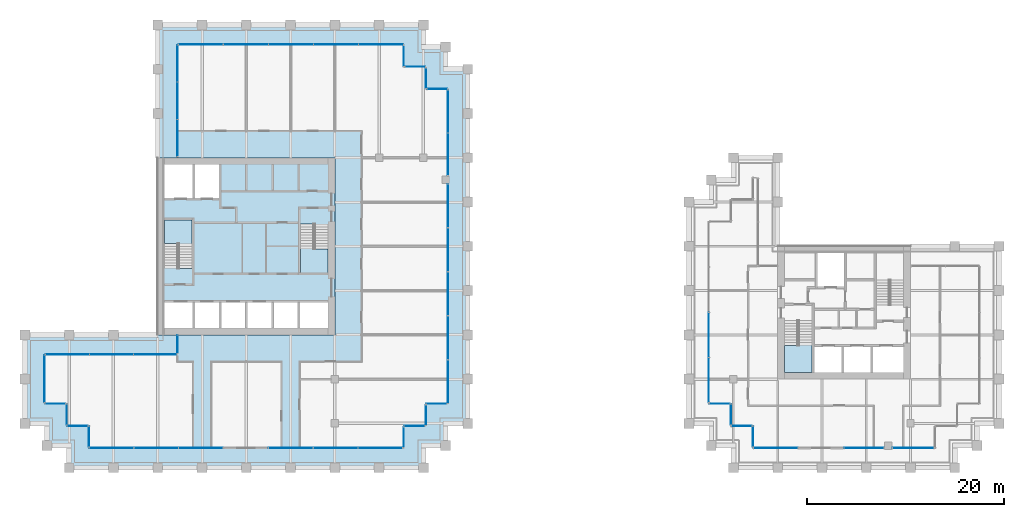
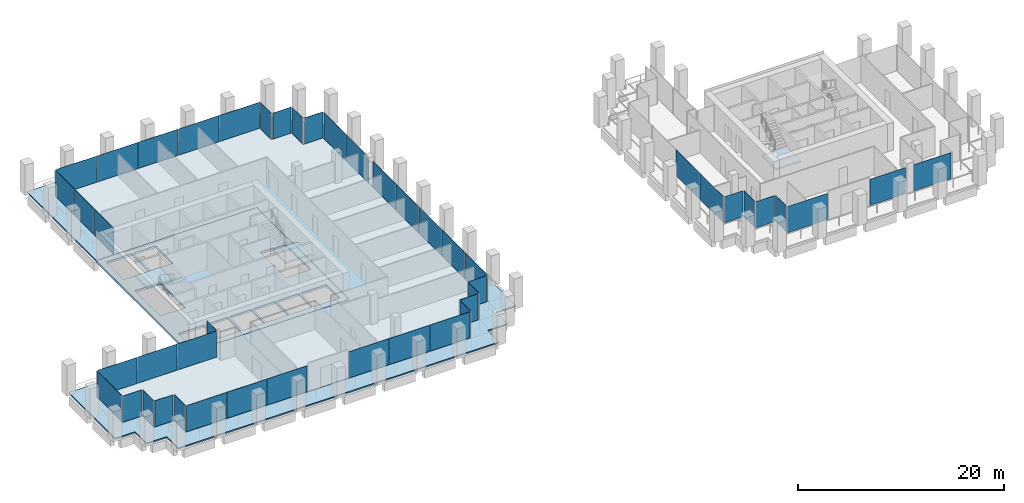
# One storey, part 39 of 46: 47 plates, 6 slabs, 32 elements without a shape of their own.
"""IFC4 building model written with IfcOpenShell, lengths in metres."""

import ifcopenshell
import ifcopenshell.guid

model = None  # the IFC model being written
_history = None  # IfcOwnerHistory: only IFC2X3 demands one
_inside = {}  # id of a spatial element -> (the spatial element, [elements in it])
_under = {}  # id of a project, library or spatial element -> (it, [spatial elements below it])
_declared = {}  # id of a project -> (the project, [libraries it declares])
_typed = {}  # id of a type object -> (the type object, [elements of that type])
_made_of = {}  # id of a material, layer set ... -> (it, [elements and type objects made of it])


def new_model(schema):
    """Start an empty IFC model of exactly this schema.

    Asked for "IFC4X3", IfcOpenShell would pick the latest addendum, in which some entities
    have other attributes; the version numbers below select the first issue.
    IFC2X3 requires an IfcOwnerHistory on every rooted entity: one is made here for all.
    """
    global model, _history
    if schema == "IFC4X3":
        model = ifcopenshell.file(schema_version=(4, 3, 0, 0))
    else:
        model = ifcopenshell.file(schema=schema)
    _inside.clear()
    _under.clear()
    _declared.clear()
    _typed.clear()
    _made_of.clear()
    _history = None
    if model.schema == "IFC2X3":
        org = make("IfcOrganization", Name="unknown")
        user = make(
            "IfcPersonAndOrganization",
            ThePerson=make("IfcPerson", FamilyName="unknown"),
            TheOrganization=org,
        )
        app = make(
            "IfcApplication",
            ApplicationDeveloper=org,
            Version="unknown",
            ApplicationFullName="unknown",
            ApplicationIdentifier="unknown",
        )
        _history = make(
            "IfcOwnerHistory",
            OwningUser=user,
            OwningApplication=app,
            ChangeAction="ADDED",
            CreationDate=0,
        )
    return model


def make(cls, **values):
    """One entity of the class cls with the attributes given. An attribute that is None is left unset."""
    return model.create_entity(
        cls, **{name: value for name, value in values.items() if value is not None}
    )


def rooted(cls, **values):
    """An entity with a GlobalId (a new one), such as an element, a storey or a relation."""
    return make(cls, GlobalId=ifcopenshell.guid.new(), OwnerHistory=_history, **values)


def si_unit(unit_type, name, prefix=None):
    """IfcSIUnit, for example si_unit("LENGTHUNIT", "METRE", prefix="MILLI")."""
    return make("IfcSIUnit", UnitType=unit_type, Prefix=prefix, Name=name)


def assignment(units):
    """IfcUnitAssignment: the units of a project."""
    return None if units is None else make("IfcUnitAssignment", Units=units)


def point(xyz):
    """IfcCartesianPoint."""
    return None if xyz is None else make("IfcCartesianPoint", Coordinates=xyz)


def direction(xyz):
    """IfcDirection."""
    return None if xyz is None else make("IfcDirection", DirectionRatios=xyz)


def frame(location, z_axis=None, x_axis=None):
    """IfcAxis2Placement3D, a coordinate frame: its origin and axes. An axis left out is left unset."""
    return make(
        "IfcAxis2Placement3D",
        Location=point(location),
        Axis=direction(z_axis),
        RefDirection=direction(x_axis),
    )


def frame_2d(location, x_axis=None):
    """IfcAxis2Placement2D, a coordinate frame in the plane: its origin and x axis."""
    return make(
        "IfcAxis2Placement2D", Location=point(location), RefDirection=direction(x_axis)
    )


def origin():
    """The frame at (0, 0, 0) with its axes left unset."""
    return frame((0.0, 0.0, 0.0))


def origin_2d():
    """The frame at (0, 0) in the plane with its x axis left unset."""
    return frame_2d((0.0, 0.0))


def place(relative_to, where):
    """IfcLocalPlacement: puts the frame where relative to a parent placement (None: the world)."""
    return make(
        "IfcLocalPlacement", PlacementRelTo=relative_to, RelativePlacement=where
    )


def context(
    kind, dimensions, precision=None, world=None, true_north=None, identifier=None
):
    """IfcGeometricRepresentationContext, for example the 3D "Model" context."""
    return make(
        "IfcGeometricRepresentationContext",
        ContextIdentifier=identifier,
        ContextType=kind,
        CoordinateSpaceDimension=dimensions,
        Precision=precision,
        WorldCoordinateSystem=world,
        TrueNorth=true_north,
    )


def subcontext(parent, identifier, kind, view, scale=None):
    """IfcGeometricRepresentationSubContext, for example "Body" below "Model"."""
    return make(
        "IfcGeometricRepresentationSubContext",
        ContextIdentifier=identifier,
        ContextType=kind,
        ParentContext=parent,
        TargetScale=scale,
        TargetView=view,
    )


def project(units=None, contexts=None):
    """IfcProject with its units and contexts."""
    return rooted(
        "IfcProject",
        Name="project",
        RepresentationContexts=contexts,
        UnitsInContext=assignment(units),
    )


def spatial(cls, under=None, at=None, **own):
    """A site, building, storey or space (cls), placed at a placement, below another one or the project."""
    s = rooted(cls, ObjectPlacement=at, **own)
    if under is not None:
        _under.setdefault(under.id(), (under, []))[1].append(s)
    return s


def polyline(points):
    """IfcPolyline through the points."""
    return make("IfcPolyline", Points=[point(p) for p in points])


def profile(cls, at=None, kind="AREA", **sizes):
    """A parametric profile (cls). Its sizes go by their IFC names, for example OverallWidth=200.0."""
    return make(cls, ProfileType=kind, Position=at, **sizes)


def rectangle(**sizes):
    """IfcRectangleProfileDef."""
    return profile("IfcRectangleProfileDef", **sizes)


def outline(outer, holes=None, kind="AREA"):
    """IfcArbitraryClosedProfileDef: a profile drawn as a closed curve; with holes, ...WithVoids."""
    if holes is None:
        return make("IfcArbitraryClosedProfileDef", ProfileType=kind, OuterCurve=outer)
    return make(
        "IfcArbitraryProfileDefWithVoids",
        ProfileType=kind,
        OuterCurve=outer,
        InnerCurves=holes,
    )


def extrude(swept, where, along, depth):
    """IfcExtrudedAreaSolid: the profile swept, set in the frame where, extruded along a direction by depth."""
    return make(
        "IfcExtrudedAreaSolid",
        SweptArea=swept,
        Position=where,
        ExtrudedDirection=direction(along),
        Depth=depth,
    )


def shape(context_of_items, identifier, shape_type, items):
    """IfcShapeRepresentation: the items that make up one representation, for example the "Body"."""
    return make(
        "IfcShapeRepresentation",
        ContextOfItems=context_of_items,
        RepresentationIdentifier=identifier,
        RepresentationType=shape_type,
        Items=items,
    )


def material(Name=None, Category=None):
    """IfcMaterial."""
    return make("IfcMaterial", Name=Name, Category=Category)


def layer(
    of_material, thickness, ventilated=None, Name=None, Category=None, Priority=None
):
    """IfcMaterialLayer: one layer of a wall or slab, of a material (None: an air gap)."""
    return make(
        "IfcMaterialLayer",
        Material=of_material,
        LayerThickness=thickness,
        IsVentilated=ventilated,
        Name=Name,
        Category=Category,
        Priority=Priority,
    )


def layer_set(layers, Name=None):
    """IfcMaterialLayerSet."""
    return make("IfcMaterialLayerSet", MaterialLayers=layers, LayerSetName=Name)


def made_of(thing, what):
    """Note that an element or type object is made of a material, layer set ...; save() writes the relation."""
    if what is not None:
        _made_of.setdefault(what.id(), (what, []))[1].append(thing)
    return thing


def type_object(cls, material=None, **own):
    """A type object (cls), such as IfcWallType, which elements share."""
    return made_of(rooted(cls, **own), material)


def element(
    cls,
    number,
    at=None,
    inside=None,
    cuts=None,
    type_object=None,
    material=None,
    context=None,
    identifier="Body",
    shape_type=None,
    held_by="IfcProductDefinitionShape",
    body=None,
    shapes=None,
    **own,
):
    """One element of the class cls, such as IfcWall. Its Tag is "e" and its number.

    at: its placement. inside: the storey or other place that contains it. cuts: it is an
    opening in that element (IfcRelVoidsElement). A single representation is given by context,
    identifier, shape_type and body (its items); several are given by shapes. held_by: the class
    of the entity that holds the representations. save() writes the other relations.
    """
    e = rooted(cls, Tag="e%d" % number, ObjectPlacement=at, **own)
    if body is not None:
        shapes = [shape(context, identifier, shape_type, body)]
    if shapes is not None:
        e.Representation = make(held_by, Representations=shapes)
    if inside is not None:
        _inside.setdefault(inside.id(), (inside, []))[1].append(e)
    if cuts is not None:
        rooted(
            "IfcRelVoidsElement", RelatingBuildingElement=cuts, RelatedOpeningElement=e
        )
    if type_object is not None:
        _typed.setdefault(type_object.id(), (type_object, []))[1].append(e)
    return made_of(e, material)


def aggregate(whole, parts):
    """IfcRelAggregates: a whole, such as a stair, and the parts it consists of."""
    return rooted("IfcRelAggregates", RelatingObject=whole, RelatedObjects=parts)


def save(model, path):
    """Write the relations noted so far, then the file.

    IfcRelAggregates (storeys below a building ...), IfcRelContainedInSpatialStructure (elements
    in a storey), IfcRelDefinesByType, IfcRelAssociatesMaterial and IfcRelDeclares: one each for
    every whole, place, type object, material and project.
    """
    for whole, parts in _under.values():
        aggregate(whole, parts)
    for where, things in _inside.values():
        rooted(
            "IfcRelContainedInSpatialStructure",
            RelatedElements=things,
            RelatingStructure=where,
        )
    for kind, things in _typed.values():
        rooted("IfcRelDefinesByType", RelatedObjects=things, RelatingType=kind)
    for what, things in _made_of.values():
        rooted("IfcRelAssociatesMaterial", RelatedObjects=things, RelatingMaterial=what)
    for by, libraries in _declared.values():
        rooted("IfcRelDeclares", RelatingContext=by, RelatedDefinitions=libraries)
    model.write(path)


model = new_model("IFC4")

# Units and contexts
model_context = context("Model", 3, precision=1e-05, world=origin(), true_north=direction((0.0, 1.0)))
body_context = subcontext(model_context, "Body", "Model", "MODEL_VIEW")
ifc_project = project(units=[si_unit("LENGTHUNIT", "METRE"), si_unit("AREAUNIT", "SQUARE_METRE"), si_unit("VOLUMEUNIT", "CUBIC_METRE"), si_unit("PLANEANGLEUNIT", "RADIAN"), si_unit("MASSUNIT", "GRAM", prefix="KILO")], contexts=[model_context])

# Site, building, storey
site_placement = place(None, origin())
site = spatial("IfcSite", under=ifc_project, at=site_placement, CompositionType="ELEMENT")
building_placement = place(site_placement, origin())
building = spatial("IfcBuilding", under=site, at=building_placement, Name="Altepetl Exchange Towers", CompositionType="ELEMENT")
storey_placement = place(building_placement, frame((0.0, 0.0, 135.199951171875)))
storey = spatial("IfcBuildingStorey", under=building, at=storey_placement, Name="L33", CompositionType="ELEMENT", Elevation=135.199951171875)

# Slabs
ifc_material_1 = material(Name="Concrete C40/50", Category="concrete")
ifc_layer_1 = layer(ifc_material_1, 0.14990234375)
ifc_layer_set_1 = layer_set([ifc_layer_1], Name="Concrete C40/50")
slab_type_1 = type_object("IfcSlabType", Name="Composite floor slab 150", PredefinedType="FLOOR", material=ifc_layer_set_1)
slab_1_placement = place(storey_placement, frame((0.0, 0.0, -0.14990234375)))
element("IfcSlab", 1, at=slab_1_placement, inside=storey, type_object=slab_type_1, Name="slab:A:L33:strip0", PredefinedType="FLOOR", context=body_context, shape_type="SweptSolid", body=[
    extrude(outline(polyline([(42.5, 70.0), (42.5, 58.5), (58.5, 58.5), (58.5, 40.5), (42.5, 40.5), (42.5, 38.5), (29.0, 38.5), (29.0, 33.5), (31.25, 33.5), (31.25, 31.25), (33.5, 31.25), (33.5, 29.0), (65.5, 29.0), (65.5, 31.25), (67.75, 31.25), (67.75, 33.5), (70.0, 33.5), (70.0, 65.5), (67.75, 65.5), (67.75, 67.75), (65.5, 67.75), (65.5, 70.0), (42.5, 70.0)])), origin(), (0.0, 0.0, 1.0), 0.14990234375),
])
ifc_layer_2 = layer(ifc_material_1, 0.25)
ifc_layer_set_2 = layer_set([ifc_layer_2], Name="Concrete C40/50")
slab_type_2 = type_object("IfcSlabType", Name="Core floor slab 250", PredefinedType="FLOOR", material=ifc_layer_set_2)
slab_2_placement = place(storey_placement, frame((0.0, 0.0, -0.25)))
element("IfcSlab", 2, at=slab_2_placement, inside=storey, type_object=slab_type_2, Name="slab:A:L33:core0", PredefinedType="FLOOR", context=body_context, shape_type="SweptSolid", body=[
    extrude(outline(polyline([(40.5, 40.5), (58.5, 40.5), (58.5, 58.5), (40.5, 58.5), (40.5, 40.5)]), holes=[polyline([(41.199951171875, 43.800048828125), (44.06689453125, 43.800048828125), (44.06689453125, 41.199951171875), (41.199951171875, 41.199951171875), (41.199951171875, 43.800048828125)]), polyline([(44.26708984375, 43.800048828125), (46.73291015625, 43.800048828125), (46.73291015625, 41.199951171875), (44.26708984375, 41.199951171875), (44.26708984375, 43.800048828125)]), polyline([(46.93310546875, 43.800048828125), (49.39990234375, 43.800048828125), (49.39990234375, 41.199951171875), (46.93310546875, 41.199951171875), (46.93310546875, 43.800048828125)]), polyline([(52.06689453125, 43.800048828125), (52.06689453125, 41.199951171875), (49.60009765625, 41.199951171875), (49.60009765625, 43.800048828125), (52.06689453125, 43.800048828125)]), polyline([(54.73291015625, 43.800048828125), (54.73291015625, 41.199951171875), (52.26708984375, 41.199951171875), (52.26708984375, 43.800048828125), (54.73291015625, 43.800048828125)]), polyline([(54.93310546875, 43.800048828125), (57.800048828125, 43.800048828125), (57.800048828125, 41.199951171875), (54.93310546875, 41.199951171875), (54.93310546875, 43.800048828125)]), polyline([(55.0, 51.7490234375), (56.449951171875, 51.7490234375), (56.449951171875, 51.64990234375), (57.800048828125, 51.64990234375), (57.800048828125, 46.800048828125), (55.0, 46.800048828125), (55.0, 51.7490234375)]), polyline([(44.0, 47.2509765625), (42.550048828125, 47.2509765625), (42.550048828125, 47.35009765625), (41.199951171875, 47.35009765625), (41.199951171875, 52.199951171875), (44.0, 52.199951171875), (44.0, 47.2509765625)]), polyline([(44.06689453125, 57.800048828125), (44.06689453125, 54.39990234375), (41.199951171875, 54.39990234375), (41.199951171875, 57.800048828125), (44.06689453125, 57.800048828125)]), polyline([(46.73291015625, 57.800048828125), (46.73291015625, 54.39990234375), (44.26708984375, 54.39990234375), (44.26708984375, 57.800048828125), (46.73291015625, 57.800048828125)])]), origin(), (0.0, 0.0, 1.0), 0.25),
])

# Curtain wall, plate
ifc_material_2 = material(Name="Aluminium 6063-T6 glazing", Category="aluminium")
curtain_wall_type = type_object("IfcCurtainWallType", Name="Loggia glazing system", PredefinedType="NOTDEFINED", material=ifc_material_2)
curtain_wall_1_placement = place(storey_placement, origin())
curtain_wall_1 = element("IfcCurtainWall", 3, at=curtain_wall_1_placement, inside=storey, type_object=curtain_wall_type, Name="CW1 run", PredefinedType="NOTDEFINED")
ifc_material_3 = material(Name="Glass 6-16-6 low emissivity", Category="glass")
ifc_layer_3 = layer(ifc_material_3, 0.028076171875)
ifc_layer_set_3 = layer_set([ifc_layer_3], Name="Glass 6-16-6 low emissivity")
plate_type = type_object("IfcPlateType", Name="Glass panel 28 double glazed", PredefinedType="CURTAIN_PANEL", material=ifc_layer_set_3)
plate_1_placement = place(storey_placement, frame((42.5, 39.53759765625, 0.0), z_axis=(0.0, 0.0, 1.0), x_axis=(0.0, -1.0, 0.0)))
plate_1 = element("IfcPlate", 4, at=plate_1_placement, type_object=plate_type, Name="GP1 panel", PredefinedType="CURTAIN_PANEL", context=body_context, shape_type="SweptSolid", body=[
    extrude(rectangle(XDim=1.804931640625, YDim=0.028076171875, at=origin_2d()), origin(), (0.0, 0.0, 1.0), 3.10009765625),
])
aggregate(curtain_wall_1, [plate_1])

# Curtain wall, plates
curtain_wall_2_placement = place(storey_placement, origin())
curtain_wall_2 = element("IfcCurtainWall", 5, at=curtain_wall_2_placement, inside=storey, type_object=curtain_wall_type, Name="CW1 run", PredefinedType="NOTDEFINED")
plate_2_placement = place(storey_placement, frame((40.24755859375, 38.5, 0.0), z_axis=(0.0, 0.0, 1.0), x_axis=(-1.0, 0.0, 0.0)))
plate_2 = element("IfcPlate", 6, at=plate_2_placement, type_object=plate_type, Name="GP1 panel", PredefinedType="CURTAIN_PANEL", context=body_context, shape_type="SweptSolid", body=[
    extrude(rectangle(XDim=4.385009765625, YDim=0.028076171875, at=origin_2d()), origin(), (0.0, 0.0, 1.0), 3.10009765625),
])
plate_3_placement = place(storey_placement, frame((35.78759765625, 38.5, 0.0), z_axis=(0.0, 0.0, 1.0), x_axis=(-1.0, 0.0, 0.0)))
plate_3 = element("IfcPlate", 7, at=plate_3_placement, type_object=plate_type, Name="GP1 panel", PredefinedType="CURTAIN_PANEL", context=body_context, shape_type="SweptSolid", body=[
    extrude(rectangle(XDim=4.4150390625, YDim=0.028076171875, at=origin_2d()), origin(), (0.0, 0.0, 1.0), 3.10009765625),
])
plate_4_placement = place(storey_placement, frame((31.327392578125, 38.5, 0.0), z_axis=(0.0, 0.0, 1.0), x_axis=(-1.0, 0.0, 0.0)))
plate_4 = element("IfcPlate", 8, at=plate_4_placement, type_object=plate_type, Name="GP1 panel", PredefinedType="CURTAIN_PANEL", context=body_context, shape_type="SweptSolid", body=[
    extrude(rectangle(XDim=4.385009765625, YDim=0.028076171875, at=origin_2d()), origin(), (0.0, 0.0, 1.0), 3.10009765625),
])
aggregate(curtain_wall_2, [plate_2, plate_3, plate_4])

# Curtain wall, plate
curtain_wall_3_placement = place(storey_placement, origin())
curtain_wall_3 = element("IfcCurtainWall", 9, at=curtain_wall_3_placement, inside=storey, type_object=curtain_wall_type, Name="CW1 run", PredefinedType="NOTDEFINED")
plate_5_placement = place(storey_placement, frame((29.0, 36.03759765625, 0.0), z_axis=(0.0, 0.0, 1.0), x_axis=(0.0, -1.0, 0.0)))
plate_5 = element("IfcPlate", 10, at=plate_5_placement, type_object=plate_type, Name="GP1 panel", PredefinedType="CURTAIN_PANEL", context=body_context, shape_type="SweptSolid", body=[
    extrude(rectangle(XDim=4.804931640625, YDim=0.028076171875, at=origin_2d()), origin(), (0.0, 0.0, 1.0), 3.10009765625),
])
aggregate(curtain_wall_3, [plate_5])

curtain_wall_4_placement = place(storey_placement, origin())
curtain_wall_4 = element("IfcCurtainWall", 11, at=curtain_wall_4_placement, inside=storey, type_object=curtain_wall_type, Name="CW1 run", PredefinedType="NOTDEFINED")
plate_6_placement = place(storey_placement, frame((30.08740234375, 33.5, 0.0)))
plate_6 = element("IfcPlate", 12, at=plate_6_placement, type_object=plate_type, Name="GP1 panel", PredefinedType="CURTAIN_PANEL", context=body_context, shape_type="SweptSolid", body=[
    extrude(rectangle(XDim=2.054931640625, YDim=0.028076171875, at=origin_2d()), origin(), (0.0, 0.0, 1.0), 3.10009765625),
])
aggregate(curtain_wall_4, [plate_6])

curtain_wall_5_placement = place(storey_placement, origin())
curtain_wall_5 = element("IfcCurtainWall", 13, at=curtain_wall_5_placement, inside=storey, type_object=curtain_wall_type, Name="CW1 run", PredefinedType="NOTDEFINED")
plate_7_placement = place(storey_placement, frame((31.25, 32.41259765625, 0.0), z_axis=(0.0, 0.0, 1.0), x_axis=(0.0, -1.0, 0.0)))
plate_7 = element("IfcPlate", 14, at=plate_7_placement, type_object=plate_type, Name="GP1 panel", PredefinedType="CURTAIN_PANEL", context=body_context, shape_type="SweptSolid", body=[
    extrude(rectangle(XDim=2.054931640625, YDim=0.028076171875, at=origin_2d()), origin(), (0.0, 0.0, 1.0), 3.10009765625),
])
aggregate(curtain_wall_5, [plate_7])

curtain_wall_6_placement = place(storey_placement, origin())
curtain_wall_6 = element("IfcCurtainWall", 15, at=curtain_wall_6_placement, inside=storey, type_object=curtain_wall_type, Name="CW1 run", PredefinedType="NOTDEFINED")
plate_8_placement = place(storey_placement, frame((32.33740234375, 31.25, 0.0)))
plate_8 = element("IfcPlate", 16, at=plate_8_placement, type_object=plate_type, Name="GP1 panel", PredefinedType="CURTAIN_PANEL", context=body_context, shape_type="SweptSolid", body=[
    extrude(rectangle(XDim=2.054931640625, YDim=0.028076171875, at=origin_2d()), origin(), (0.0, 0.0, 1.0), 3.10009765625),
])
aggregate(curtain_wall_6, [plate_8])

curtain_wall_7_placement = place(storey_placement, origin())
curtain_wall_7 = element("IfcCurtainWall", 17, at=curtain_wall_7_placement, inside=storey, type_object=curtain_wall_type, Name="CW1 run", PredefinedType="NOTDEFINED")
plate_9_placement = place(storey_placement, frame((33.5, 30.16259765625, 0.0), z_axis=(0.0, 0.0, 1.0), x_axis=(0.0, -1.0, 0.0)))
plate_9 = element("IfcPlate", 18, at=plate_9_placement, type_object=plate_type, Name="GP1 panel", PredefinedType="CURTAIN_PANEL", context=body_context, shape_type="SweptSolid", body=[
    extrude(rectangle(XDim=2.054931640625, YDim=0.028076171875, at=origin_2d()), origin(), (0.0, 0.0, 1.0), 3.10009765625),
])
aggregate(curtain_wall_7, [plate_9])

# Curtain wall, plates
curtain_wall_8_placement = place(storey_placement, origin())
curtain_wall_8 = element("IfcCurtainWall", 19, at=curtain_wall_8_placement, inside=storey, type_object=curtain_wall_type, Name="CW1 run", PredefinedType="NOTDEFINED")
plate_10_placement = place(storey_placement, frame((35.79541015625, 29.0, 0.0)))
plate_10 = element("IfcPlate", 20, at=plate_10_placement, type_object=plate_type, Name="GP1 panel", PredefinedType="CURTAIN_PANEL", context=body_context, shape_type="SweptSolid", body=[
    extrude(rectangle(XDim=4.470703125, YDim=0.028076171875, at=origin_2d()), origin(), (0.0, 0.0, 1.0), 3.10009765625),
])
plate_11_placement = place(storey_placement, frame((40.341064453125, 29.0, 0.0)))
plate_11 = element("IfcPlate", 21, at=plate_11_placement, type_object=plate_type, Name="GP1 panel", PredefinedType="CURTAIN_PANEL", context=body_context, shape_type="SweptSolid", body=[
    extrude(rectangle(XDim=4.500732421875, YDim=0.028076171875, at=origin_2d()), origin(), (0.0, 0.0, 1.0), 3.10009765625),
])
plate_12_placement = place(storey_placement, frame((44.88671875, 29.0, 0.0)))
plate_12 = element("IfcPlate", 22, at=plate_12_placement, type_object=plate_type, Name="GP1 panel", PredefinedType="CURTAIN_PANEL", context=body_context, shape_type="SweptSolid", body=[
    extrude(rectangle(XDim=4.470703125, YDim=0.028076171875, at=origin_2d()), origin(), (0.0, 0.0, 1.0), 3.10009765625),
])
aggregate(curtain_wall_8, [plate_10, plate_11, plate_12])

curtain_wall_9_placement = place(storey_placement, origin())
curtain_wall_9 = element("IfcCurtainWall", 23, at=curtain_wall_9_placement, inside=storey, type_object=curtain_wall_type, Name="CW1 run", PredefinedType="NOTDEFINED")
plate_13_placement = place(storey_placement, frame((54.038330078125, 29.0, 0.0)))
plate_13 = element("IfcPlate", 24, at=plate_13_placement, type_object=plate_type, Name="GP1 panel", PredefinedType="CURTAIN_PANEL", context=body_context, shape_type="SweptSolid", body=[
    extrude(rectangle(XDim=4.470703125, YDim=0.028076171875, at=origin_2d()), origin(), (0.0, 0.0, 1.0), 3.10009765625),
])
plate_14_placement = place(storey_placement, frame((58.583984375, 29.0, 0.0)))
plate_14 = element("IfcPlate", 25, at=plate_14_placement, type_object=plate_type, Name="GP1 panel", PredefinedType="CURTAIN_PANEL", context=body_context, shape_type="SweptSolid", body=[
    extrude(rectangle(XDim=4.500732421875, YDim=0.028076171875, at=origin_2d()), origin(), (0.0, 0.0, 1.0), 3.10009765625),
])
plate_15_placement = place(storey_placement, frame((63.129638671875, 29.0, 0.0)))
plate_15 = element("IfcPlate", 26, at=plate_15_placement, type_object=plate_type, Name="GP1 panel", PredefinedType="CURTAIN_PANEL", context=body_context, shape_type="SweptSolid", body=[
    extrude(rectangle(XDim=4.470703125, YDim=0.028076171875, at=origin_2d()), origin(), (0.0, 0.0, 1.0), 3.10009765625),
])
aggregate(curtain_wall_9, [plate_13, plate_14, plate_15])

# Curtain wall, plate
curtain_wall_10_placement = place(storey_placement, origin())
curtain_wall_10 = element("IfcCurtainWall", 27, at=curtain_wall_10_placement, inside=storey, type_object=curtain_wall_type, Name="CW1 run", PredefinedType="NOTDEFINED")
plate_16_placement = place(storey_placement, frame((65.5, 30.08740234375, 0.0), z_axis=(0.0, 0.0, 1.0), x_axis=(0.0, 1.0, 0.0)))
plate_16 = element("IfcPlate", 28, at=plate_16_placement, type_object=plate_type, Name="GP1 panel", PredefinedType="CURTAIN_PANEL", context=body_context, shape_type="SweptSolid", body=[
    extrude(rectangle(XDim=2.054931640625, YDim=0.028076171875, at=origin_2d()), origin(), (0.0, 0.0, 1.0), 3.10009765625),
])
aggregate(curtain_wall_10, [plate_16])

curtain_wall_11_placement = place(storey_placement, origin())
curtain_wall_11 = element("IfcCurtainWall", 29, at=curtain_wall_11_placement, inside=storey, type_object=curtain_wall_type, Name="CW1 run", PredefinedType="NOTDEFINED")
plate_17_placement = place(storey_placement, frame((66.58740234375, 31.25, 0.0)))
plate_17 = element("IfcPlate", 30, at=plate_17_placement, type_object=plate_type, Name="GP1 panel", PredefinedType="CURTAIN_PANEL", context=body_context, shape_type="SweptSolid", body=[
    extrude(rectangle(XDim=2.054931640625, YDim=0.028076171875, at=origin_2d()), origin(), (0.0, 0.0, 1.0), 3.10009765625),
])
aggregate(curtain_wall_11, [plate_17])

curtain_wall_12_placement = place(storey_placement, origin())
curtain_wall_12 = element("IfcCurtainWall", 31, at=curtain_wall_12_placement, inside=storey, type_object=curtain_wall_type, Name="CW1 run", PredefinedType="NOTDEFINED")
plate_18_placement = place(storey_placement, frame((67.75, 32.33740234375, 0.0), z_axis=(0.0, 0.0, 1.0), x_axis=(0.0, 1.0, 0.0)))
plate_18 = element("IfcPlate", 32, at=plate_18_placement, type_object=plate_type, Name="GP1 panel", PredefinedType="CURTAIN_PANEL", context=body_context, shape_type="SweptSolid", body=[
    extrude(rectangle(XDim=2.054931640625, YDim=0.028076171875, at=origin_2d()), origin(), (0.0, 0.0, 1.0), 3.10009765625),
])
aggregate(curtain_wall_12, [plate_18])

curtain_wall_13_placement = place(storey_placement, origin())
curtain_wall_13 = element("IfcCurtainWall", 33, at=curtain_wall_13_placement, inside=storey, type_object=curtain_wall_type, Name="CW1 run", PredefinedType="NOTDEFINED")
plate_19_placement = place(storey_placement, frame((68.83740234375, 33.5, 0.0)))
plate_19 = element("IfcPlate", 34, at=plate_19_placement, type_object=plate_type, Name="GP1 panel", PredefinedType="CURTAIN_PANEL", context=body_context, shape_type="SweptSolid", body=[
    extrude(rectangle(XDim=2.054931640625, YDim=0.028076171875, at=origin_2d()), origin(), (0.0, 0.0, 1.0), 3.10009765625),
])
aggregate(curtain_wall_13, [plate_19])

# Curtain wall, plates
curtain_wall_14_placement = place(storey_placement, origin())
curtain_wall_14 = element("IfcCurtainWall", 35, at=curtain_wall_14_placement, inside=storey, type_object=curtain_wall_type, Name="CW1 run", PredefinedType="NOTDEFINED")
plate_20_placement = place(storey_placement, frame((70.0, 35.75048828125, 0.0), z_axis=(0.0, 0.0, 1.0), x_axis=(0.0, 1.0, 0.0)))
plate_20 = element("IfcPlate", 36, at=plate_20_placement, type_object=plate_type, Name="GP1 panel", PredefinedType="CURTAIN_PANEL", context=body_context, shape_type="SweptSolid", body=[
    extrude(rectangle(XDim=4.381103515625, YDim=0.028076171875, at=origin_2d()), origin(), (0.0, 0.0, 1.0), 3.10009765625),
])
plate_21_placement = place(storey_placement, frame((70.0, 40.20654296875, 0.0), z_axis=(0.0, 0.0, 1.0), x_axis=(0.0, 1.0, 0.0)))
plate_21 = element("IfcPlate", 37, at=plate_21_placement, type_object=plate_type, Name="GP1 panel", PredefinedType="CURTAIN_PANEL", context=body_context, shape_type="SweptSolid", body=[
    extrude(rectangle(XDim=4.410888671875, YDim=0.028076171875, at=origin_2d()), origin(), (0.0, 0.0, 1.0), 3.10009765625),
])
plate_22_placement = place(storey_placement, frame((70.0, 44.677490234375, 0.0), z_axis=(0.0, 0.0, 1.0), x_axis=(0.0, 1.0, 0.0)))
plate_22 = element("IfcPlate", 38, at=plate_22_placement, type_object=plate_type, Name="GP1 panel", PredefinedType="CURTAIN_PANEL", context=body_context, shape_type="SweptSolid", body=[
    extrude(rectangle(XDim=4.410888671875, YDim=0.028076171875, at=origin_2d()), origin(), (0.0, 0.0, 1.0), 3.10009765625),
])
plate_23_placement = place(storey_placement, frame((70.0, 49.1484375, 0.0), z_axis=(0.0, 0.0, 1.0), x_axis=(0.0, 1.0, 0.0)))
plate_23 = element("IfcPlate", 39, at=plate_23_placement, type_object=plate_type, Name="GP1 panel", PredefinedType="CURTAIN_PANEL", context=body_context, shape_type="SweptSolid", body=[
    extrude(rectangle(XDim=4.410888671875, YDim=0.028076171875, at=origin_2d()), origin(), (0.0, 0.0, 1.0), 3.10009765625),
])
plate_24_placement = place(storey_placement, frame((70.0, 53.6044921875, 0.0), z_axis=(0.0, 0.0, 1.0), x_axis=(0.0, 1.0, 0.0)))
plate_24 = element("IfcPlate", 40, at=plate_24_placement, type_object=plate_type, Name="GP1 panel", PredefinedType="CURTAIN_PANEL", context=body_context, shape_type="SweptSolid", body=[
    extrude(rectangle(XDim=4.381103515625, YDim=0.028076171875, at=origin_2d()), origin(), (0.0, 0.0, 1.0), 3.10009765625),
])
aggregate(curtain_wall_14, [plate_20, plate_21, plate_22, plate_23, plate_24])

curtain_wall_15_placement = place(storey_placement, origin())
curtain_wall_15 = element("IfcCurtainWall", 41, at=curtain_wall_15_placement, inside=storey, type_object=curtain_wall_type, Name="CW1 run", PredefinedType="NOTDEFINED")
plate_25_placement = place(storey_placement, frame((70.0, 58.85498046875, 0.0), z_axis=(0.0, 0.0, 1.0), x_axis=(0.0, 1.0, 0.0)))
plate_25 = element("IfcPlate", 42, at=plate_25_placement, type_object=plate_type, Name="GP1 panel", PredefinedType="CURTAIN_PANEL", context=body_context, shape_type="SweptSolid", body=[
    extrude(rectangle(XDim=4.300048828125, YDim=0.028076171875, at=origin_2d()), origin(), (0.0, 0.0, 1.0), 3.10009765625),
])
plate_26_placement = place(storey_placement, frame((70.0, 63.215087890625, 0.0), z_axis=(0.0, 0.0, 1.0), x_axis=(0.0, 1.0, 0.0)))
plate_26 = element("IfcPlate", 43, at=plate_26_placement, type_object=plate_type, Name="GP1 panel", PredefinedType="CURTAIN_PANEL", context=body_context, shape_type="SweptSolid", body=[
    extrude(rectangle(XDim=4.300048828125, YDim=0.028076171875, at=origin_2d()), origin(), (0.0, 0.0, 1.0), 3.10009765625),
])
aggregate(curtain_wall_15, [plate_25, plate_26])

# Curtain wall, plate
curtain_wall_16_placement = place(storey_placement, origin())
curtain_wall_16 = element("IfcCurtainWall", 44, at=curtain_wall_16_placement, inside=storey, type_object=curtain_wall_type, Name="CW1 run", PredefinedType="NOTDEFINED")
plate_27_placement = place(storey_placement, frame((68.91259765625, 65.5, 0.0), z_axis=(0.0, 0.0, 1.0), x_axis=(-1.0, 0.0, 0.0)))
plate_27 = element("IfcPlate", 45, at=plate_27_placement, type_object=plate_type, Name="GP1 panel", PredefinedType="CURTAIN_PANEL", context=body_context, shape_type="SweptSolid", body=[
    extrude(rectangle(XDim=2.054931640625, YDim=0.028076171875, at=origin_2d()), origin(), (0.0, 0.0, 1.0), 3.10009765625),
])
aggregate(curtain_wall_16, [plate_27])

curtain_wall_17_placement = place(storey_placement, origin())
curtain_wall_17 = element("IfcCurtainWall", 46, at=curtain_wall_17_placement, inside=storey, type_object=curtain_wall_type, Name="CW1 run", PredefinedType="NOTDEFINED")
plate_28_placement = place(storey_placement, frame((67.75, 66.58740234375, 0.0), z_axis=(0.0, 0.0, 1.0), x_axis=(0.0, 1.0, 0.0)))
plate_28 = element("IfcPlate", 47, at=plate_28_placement, type_object=plate_type, Name="GP1 panel", PredefinedType="CURTAIN_PANEL", context=body_context, shape_type="SweptSolid", body=[
    extrude(rectangle(XDim=2.054931640625, YDim=0.028076171875, at=origin_2d()), origin(), (0.0, 0.0, 1.0), 3.10009765625),
])
aggregate(curtain_wall_17, [plate_28])

curtain_wall_18_placement = place(storey_placement, origin())
curtain_wall_18 = element("IfcCurtainWall", 48, at=curtain_wall_18_placement, inside=storey, type_object=curtain_wall_type, Name="CW1 run", PredefinedType="NOTDEFINED")
plate_29_placement = place(storey_placement, frame((66.66259765625, 67.75, 0.0), z_axis=(0.0, 0.0, 1.0), x_axis=(-1.0, 0.0, 0.0)))
plate_29 = element("IfcPlate", 49, at=plate_29_placement, type_object=plate_type, Name="GP1 panel", PredefinedType="CURTAIN_PANEL", context=body_context, shape_type="SweptSolid", body=[
    extrude(rectangle(XDim=2.054931640625, YDim=0.028076171875, at=origin_2d()), origin(), (0.0, 0.0, 1.0), 3.10009765625),
])
aggregate(curtain_wall_18, [plate_29])

curtain_wall_19_placement = place(storey_placement, origin())
curtain_wall_19 = element("IfcCurtainWall", 50, at=curtain_wall_19_placement, inside=storey, type_object=curtain_wall_type, Name="CW1 run", PredefinedType="NOTDEFINED")
plate_30_placement = place(storey_placement, frame((65.5, 68.83740234375, 0.0), z_axis=(0.0, 0.0, 1.0), x_axis=(0.0, 1.0, 0.0)))
plate_30 = element("IfcPlate", 51, at=plate_30_placement, type_object=plate_type, Name="GP1 panel", PredefinedType="CURTAIN_PANEL", context=body_context, shape_type="SweptSolid", body=[
    extrude(rectangle(XDim=2.054931640625, YDim=0.028076171875, at=origin_2d()), origin(), (0.0, 0.0, 1.0), 3.10009765625),
])
aggregate(curtain_wall_19, [plate_30])

# Curtain wall, plates
curtain_wall_20_placement = place(storey_placement, origin())
curtain_wall_20 = element("IfcCurtainWall", 52, at=curtain_wall_20_placement, inside=storey, type_object=curtain_wall_type, Name="CW1 run", PredefinedType="NOTDEFINED")
plate_31_placement = place(storey_placement, frame((63.1923828125, 70.0, 0.0), z_axis=(0.0, 0.0, 1.0), x_axis=(-1.0, 0.0, 0.0)))
plate_31 = element("IfcPlate", 53, at=plate_31_placement, type_object=plate_type, Name="GP1 panel", PredefinedType="CURTAIN_PANEL", context=body_context, shape_type="SweptSolid", body=[
    extrude(rectangle(XDim=4.4951171875, YDim=0.028076171875, at=origin_2d()), origin(), (0.0, 0.0, 1.0), 3.10009765625),
])
plate_32_placement = place(storey_placement, frame((58.62255859375, 70.0, 0.0), z_axis=(0.0, 0.0, 1.0), x_axis=(-1.0, 0.0, 0.0)))
plate_32 = element("IfcPlate", 54, at=plate_32_placement, type_object=plate_type, Name="GP1 panel", PredefinedType="CURTAIN_PANEL", context=body_context, shape_type="SweptSolid", body=[
    extrude(rectangle(XDim=4.52490234375, YDim=0.028076171875, at=origin_2d()), origin(), (0.0, 0.0, 1.0), 3.10009765625),
])
plate_33_placement = place(storey_placement, frame((54.03759765625, 70.0, 0.0), z_axis=(0.0, 0.0, 1.0), x_axis=(-1.0, 0.0, 0.0)))
plate_33 = element("IfcPlate", 55, at=plate_33_placement, type_object=plate_type, Name="GP1 panel", PredefinedType="CURTAIN_PANEL", context=body_context, shape_type="SweptSolid", body=[
    extrude(rectangle(XDim=4.52490234375, YDim=0.028076171875, at=origin_2d()), origin(), (0.0, 0.0, 1.0), 3.10009765625),
])
plate_34_placement = place(storey_placement, frame((49.452392578125, 70.0, 0.0), z_axis=(0.0, 0.0, 1.0), x_axis=(-1.0, 0.0, 0.0)))
plate_34 = element("IfcPlate", 56, at=plate_34_placement, type_object=plate_type, Name="GP1 panel", PredefinedType="CURTAIN_PANEL", context=body_context, shape_type="SweptSolid", body=[
    extrude(rectangle(XDim=4.52490234375, YDim=0.028076171875, at=origin_2d()), origin(), (0.0, 0.0, 1.0), 3.10009765625),
])
plate_35_placement = place(storey_placement, frame((44.882568359375, 70.0, 0.0), z_axis=(0.0, 0.0, 1.0), x_axis=(-1.0, 0.0, 0.0)))
plate_35 = element("IfcPlate", 57, at=plate_35_placement, type_object=plate_type, Name="GP1 panel", PredefinedType="CURTAIN_PANEL", context=body_context, shape_type="SweptSolid", body=[
    extrude(rectangle(XDim=4.4951171875, YDim=0.028076171875, at=origin_2d()), origin(), (0.0, 0.0, 1.0), 3.10009765625),
])
aggregate(curtain_wall_20, [plate_31, plate_32, plate_33, plate_34, plate_35])

curtain_wall_21_placement = place(storey_placement, origin())
curtain_wall_21 = element("IfcCurtainWall", 58, at=curtain_wall_21_placement, inside=storey, type_object=curtain_wall_type, Name="CW1 run", PredefinedType="NOTDEFINED")
plate_36_placement = place(storey_placement, frame((42.5, 68.080810546875, 0.0), z_axis=(0.0, 0.0, 1.0), x_axis=(0.0, -1.0, 0.0)))
plate_36 = element("IfcPlate", 59, at=plate_36_placement, type_object=plate_type, Name="GP1 panel", PredefinedType="CURTAIN_PANEL", context=body_context, shape_type="SweptSolid", body=[
    extrude(rectangle(XDim=3.71826171875, YDim=0.028076171875, at=origin_2d()), origin(), (0.0, 0.0, 1.0), 3.10009765625),
])
plate_37_placement = place(storey_placement, frame((42.5, 64.28759765625, 0.0), z_axis=(0.0, 0.0, 1.0), x_axis=(0.0, -1.0, 0.0)))
plate_37 = element("IfcPlate", 60, at=plate_37_placement, type_object=plate_type, Name="GP1 panel", PredefinedType="CURTAIN_PANEL", context=body_context, shape_type="SweptSolid", body=[
    extrude(rectangle(XDim=3.748291015625, YDim=0.028076171875, at=origin_2d()), origin(), (0.0, 0.0, 1.0), 3.10009765625),
])
plate_38_placement = place(storey_placement, frame((42.5, 60.494140625, 0.0), z_axis=(0.0, 0.0, 1.0), x_axis=(0.0, -1.0, 0.0)))
plate_38 = element("IfcPlate", 61, at=plate_38_placement, type_object=plate_type, Name="GP1 panel", PredefinedType="CURTAIN_PANEL", context=body_context, shape_type="SweptSolid", body=[
    extrude(rectangle(XDim=3.71826171875, YDim=0.028076171875, at=origin_2d()), origin(), (0.0, 0.0, 1.0), 3.10009765625),
])
aggregate(curtain_wall_21, [plate_36, plate_37, plate_38])

curtain_wall_22_placement = place(storey_placement, origin())
curtain_wall_22 = element("IfcCurtainWall", 62, at=curtain_wall_22_placement, inside=storey, type_object=curtain_wall_type, Name="CW1 run", PredefinedType="NOTDEFINED")
plate_39_placement = place(storey_placement, frame((96.5, 40.484375, 0.0), z_axis=(0.0, 0.0, 1.0), x_axis=(0.0, -1.0, 0.0)))
plate_39 = element("IfcPlate", 63, at=plate_39_placement, type_object=plate_type, Name="GP1 panel", PredefinedType="CURTAIN_PANEL", context=body_context, shape_type="SweptSolid", body=[
    extrude(rectangle(XDim=4.546142578125, YDim=0.028076171875, at=origin_2d()), origin(), (0.0, 0.0, 1.0), 3.10009765625),
])
plate_40_placement = place(storey_placement, frame((96.5, 35.89306640625, 0.0), z_axis=(0.0, 0.0, 1.0), x_axis=(0.0, -1.0, 0.0)))
plate_40 = element("IfcPlate", 64, at=plate_40_placement, type_object=plate_type, Name="GP1 panel", PredefinedType="CURTAIN_PANEL", context=body_context, shape_type="SweptSolid", body=[
    extrude(rectangle(XDim=4.516357421875, YDim=0.028076171875, at=origin_2d()), origin(), (0.0, 0.0, 1.0), 3.10009765625),
])
aggregate(curtain_wall_22, [plate_39, plate_40])

# Curtain wall, plate
curtain_wall_23_placement = place(storey_placement, origin())
curtain_wall_23 = element("IfcCurtainWall", 65, at=curtain_wall_23_placement, inside=storey, type_object=curtain_wall_type, Name="CW1 run", PredefinedType="NOTDEFINED")
plate_41_placement = place(storey_placement, frame((97.58740234375, 33.5, 0.0)))
plate_41 = element("IfcPlate", 66, at=plate_41_placement, type_object=plate_type, Name="GP1 panel", PredefinedType="CURTAIN_PANEL", context=body_context, shape_type="SweptSolid", body=[
    extrude(rectangle(XDim=2.054931640625, YDim=0.028076171875, at=origin_2d()), origin(), (0.0, 0.0, 1.0), 3.10009765625),
])
aggregate(curtain_wall_23, [plate_41])

curtain_wall_24_placement = place(storey_placement, origin())
curtain_wall_24 = element("IfcCurtainWall", 67, at=curtain_wall_24_placement, inside=storey, type_object=curtain_wall_type, Name="CW1 run", PredefinedType="NOTDEFINED")
plate_42_placement = place(storey_placement, frame((98.75, 32.41259765625, 0.0), z_axis=(0.0, 0.0, 1.0), x_axis=(0.0, -1.0, 0.0)))
plate_42 = element("IfcPlate", 68, at=plate_42_placement, type_object=plate_type, Name="GP1 panel", PredefinedType="CURTAIN_PANEL", context=body_context, shape_type="SweptSolid", body=[
    extrude(rectangle(XDim=2.054931640625, YDim=0.028076171875, at=origin_2d()), origin(), (0.0, 0.0, 1.0), 3.10009765625),
])
aggregate(curtain_wall_24, [plate_42])

curtain_wall_25_placement = place(storey_placement, origin())
curtain_wall_25 = element("IfcCurtainWall", 69, at=curtain_wall_25_placement, inside=storey, type_object=curtain_wall_type, Name="CW1 run", PredefinedType="NOTDEFINED")
plate_43_placement = place(storey_placement, frame((99.83740234375, 31.25, 0.0)))
plate_43 = element("IfcPlate", 70, at=plate_43_placement, type_object=plate_type, Name="GP1 panel", PredefinedType="CURTAIN_PANEL", context=body_context, shape_type="SweptSolid", body=[
    extrude(rectangle(XDim=2.054931640625, YDim=0.028076171875, at=origin_2d()), origin(), (0.0, 0.0, 1.0), 3.10009765625),
])
aggregate(curtain_wall_25, [plate_43])

curtain_wall_26_placement = place(storey_placement, origin())
curtain_wall_26 = element("IfcCurtainWall", 71, at=curtain_wall_26_placement, inside=storey, type_object=curtain_wall_type, Name="CW1 run", PredefinedType="NOTDEFINED")
plate_44_placement = place(storey_placement, frame((101.0, 30.16259765625, 0.0), z_axis=(0.0, 0.0, 1.0), x_axis=(0.0, -1.0, 0.0)))
plate_44 = element("IfcPlate", 72, at=plate_44_placement, type_object=plate_type, Name="GP1 panel", PredefinedType="CURTAIN_PANEL", context=body_context, shape_type="SweptSolid", body=[
    extrude(rectangle(XDim=2.054931640625, YDim=0.028076171875, at=origin_2d()), origin(), (0.0, 0.0, 1.0), 3.10009765625),
])
aggregate(curtain_wall_26, [plate_44])

curtain_wall_27_placement = place(storey_placement, origin())
curtain_wall_27 = element("IfcCurtainWall", 73, at=curtain_wall_27_placement, inside=storey, type_object=curtain_wall_type, Name="CW1 run", PredefinedType="NOTDEFINED")
plate_45_placement = place(storey_placement, frame((103.30322265625, 29.0, 0.0)))
plate_45 = element("IfcPlate", 74, at=plate_45_placement, type_object=plate_type, Name="GP1 panel", PredefinedType="CURTAIN_PANEL", context=body_context, shape_type="SweptSolid", body=[
    extrude(rectangle(XDim=4.486328125, YDim=0.028076171875, at=origin_2d()), origin(), (0.0, 0.0, 1.0), 3.10009765625),
])
aggregate(curtain_wall_27, [plate_45])

curtain_wall_28_placement = place(storey_placement, origin())
curtain_wall_28 = element("IfcCurtainWall", 75, at=curtain_wall_28_placement, inside=storey, type_object=curtain_wall_type, Name="CW1 run", PredefinedType="NOTDEFINED")
plate_46_placement = place(storey_placement, frame((112.28369140625, 29.0, 0.0)))
plate_46 = element("IfcPlate", 76, at=plate_46_placement, type_object=plate_type, Name="GP1 panel", PredefinedType="CURTAIN_PANEL", context=body_context, shape_type="SweptSolid", body=[
    extrude(rectangle(XDim=4.0224609375, YDim=0.028076171875, at=origin_2d()), origin(), (0.0, 0.0, 1.0), 3.10009765625),
])
aggregate(curtain_wall_28, [plate_46])

curtain_wall_29_placement = place(storey_placement, origin())
curtain_wall_29 = element("IfcCurtainWall", 77, at=curtain_wall_29_placement, inside=storey, type_object=curtain_wall_type, Name="CW1 run", PredefinedType="NOTDEFINED")
plate_47_placement = place(storey_placement, frame((117.284912109375, 29.0, 0.0)))
plate_47 = element("IfcPlate", 78, at=plate_47_placement, type_object=plate_type, Name="GP1 panel", PredefinedType="CURTAIN_PANEL", context=body_context, shape_type="SweptSolid", body=[
    extrude(rectangle(XDim=4.159912109375, YDim=0.028076171875, at=origin_2d()), origin(), (0.0, 0.0, 1.0), 3.10009765625),
])
aggregate(curtain_wall_29, [plate_47])

# Slab
ifc_layer_4 = layer(ifc_material_1, 0.14990234375)
ifc_layer_set_4 = layer_set([ifc_layer_4], Name="Concrete C40/50")
slab_type_3 = type_object("IfcSlabType", Name="Loggia slab 150", PredefinedType="FLOOR", material=ifc_layer_set_4)
slab_3_placement = place(storey_placement, frame((0.0, 0.0, -0.14990234375)))
element("IfcSlab", 79, at=slab_3_placement, inside=storey, type_object=slab_type_3, Name="slab:A:L33:loggia0", PredefinedType="FLOOR", context=body_context, shape_type="SweptSolid", body=[
    extrude(outline(polyline([(40.5, 72.0), (40.5, 58.5), (42.5, 58.5), (42.5, 70.0), (65.5, 70.0), (65.5, 67.75), (67.75, 67.75), (67.75, 65.5), (70.0, 65.5), (70.0, 33.5), (67.75, 33.5), (67.75, 31.25), (65.5, 31.25), (65.5, 29.0), (33.5, 29.0), (33.5, 31.25), (31.25, 31.25), (31.25, 33.5), (29.0, 33.5), (29.0, 38.5), (42.5, 38.5), (42.5, 40.5), (40.5, 40.5), (27.0, 40.5), (27.0, 31.5), (29.25, 31.5), (29.25, 29.25), (31.5, 29.25), (31.5, 27.0), (58.5, 27.0), (67.5, 27.0), (67.5, 29.25), (69.75, 29.25), (69.75, 31.5), (72.0, 31.5), (72.0, 58.5), (72.0, 67.5), (69.75, 67.5), (69.75, 69.75), (67.5, 69.75), (67.5, 72.0), (40.5, 72.0)])), origin(), (0.0, 0.0, 1.0), 0.14990234375),
])

# Stair, slab
stair_type = type_object("IfcStairType", Name="Exit stair 1350 flights dogleg", PredefinedType="HALF_TURN_STAIR", material=ifc_material_1)
stair_1_placement = place(storey_placement, origin())
stair_1 = element("IfcStair", 80, at=stair_1_placement, inside=storey, type_object=stair_type, Name="Exit stair 1", PredefinedType="HALF_TURN_STAIR")
ifc_layer_5 = layer(ifc_material_1, 0.199951171875)
ifc_layer_set_5 = layer_set([ifc_layer_5], Name="Concrete C40/50")
slab_type_4 = type_object("IfcSlabType", Name="Stair landing 200 reinforced concrete", PredefinedType="LANDING", material=ifc_layer_set_5)
slab_4_placement = place(storey_placement, frame((0.0, 0.0, 1.60009765625)))
slab_4 = element("IfcSlab", 81, at=slab_4_placement, type_object=slab_type_4, Name="ST-A1d landing 1", PredefinedType="LANDING", context=body_context, shape_type="SweptSolid", body=[
    extrude(outline(polyline([(44.0, 49.669921875), (42.64990234375, 49.669921875), (42.64990234375, 49.77001953125), (42.550048828125, 49.77001953125), (42.550048828125, 49.769287109375), (41.199951171875, 49.769287109375), (41.199951171875, 49.77001953125), (41.199951171875, 52.199951171875), (44.0, 52.199951171875), (44.0, 49.77001953125), (44.0, 49.669921875)])), origin(), (0.0, 0.0, 1.0), 0.199951171875),
])
aggregate(stair_1, [slab_4])

stair_2_placement = place(storey_placement, origin())
stair_2 = element("IfcStair", 82, at=stair_2_placement, inside=storey, type_object=stair_type, Name="Exit stair 2", PredefinedType="HALF_TURN_STAIR")
slab_5_placement = place(storey_placement, frame((0.0, 0.0, 1.60009765625)))
slab_5 = element("IfcSlab", 83, at=slab_5_placement, type_object=slab_type_4, Name="ST-A2d landing 1", PredefinedType="LANDING", context=body_context, shape_type="SweptSolid", body=[
    extrude(outline(polyline([(57.800048828125, 46.800048828125), (55.0, 46.800048828125), (55.0, 49.22998046875), (55.0, 49.330078125), (56.35009765625, 49.330078125), (56.35009765625, 49.22998046875), (56.449951171875, 49.22998046875), (56.449951171875, 49.230712890625), (57.800048828125, 49.230712890625), (57.800048828125, 49.22998046875), (57.800048828125, 46.800048828125)])), origin(), (0.0, 0.0, 1.0), 0.199951171875),
])
aggregate(stair_2, [slab_5])

stair_3_placement = place(storey_placement, origin())
stair_3 = element("IfcStair", 84, at=stair_3_placement, inside=storey, type_object=stair_type, Name="Exit stair 1", PredefinedType="HALF_TURN_STAIR")
slab_6_placement = place(storey_placement, frame((0.0, 0.0, 1.60009765625)))
slab_6 = element("IfcSlab", 85, at=slab_6_placement, type_object=slab_type_4, Name="ST-B1d landing 1", PredefinedType="LANDING", context=body_context, shape_type="SweptSolid", body=[
    extrude(outline(polyline([(107.0, 36.699951171875), (104.199951171875, 36.699951171875), (104.199951171875, 39.429931640625), (104.199951171875, 39.4306640625), (105.550048828125, 39.4306640625), (105.550048828125, 39.429931640625), (105.64990234375, 39.429931640625), (105.64990234375, 39.530029296875), (107.0, 39.530029296875), (107.0, 39.429931640625), (107.0, 36.699951171875)])), origin(), (0.0, 0.0, 1.0), 0.199951171875),
])
aggregate(stair_3, [slab_6])

save(model, "model.ifc")
